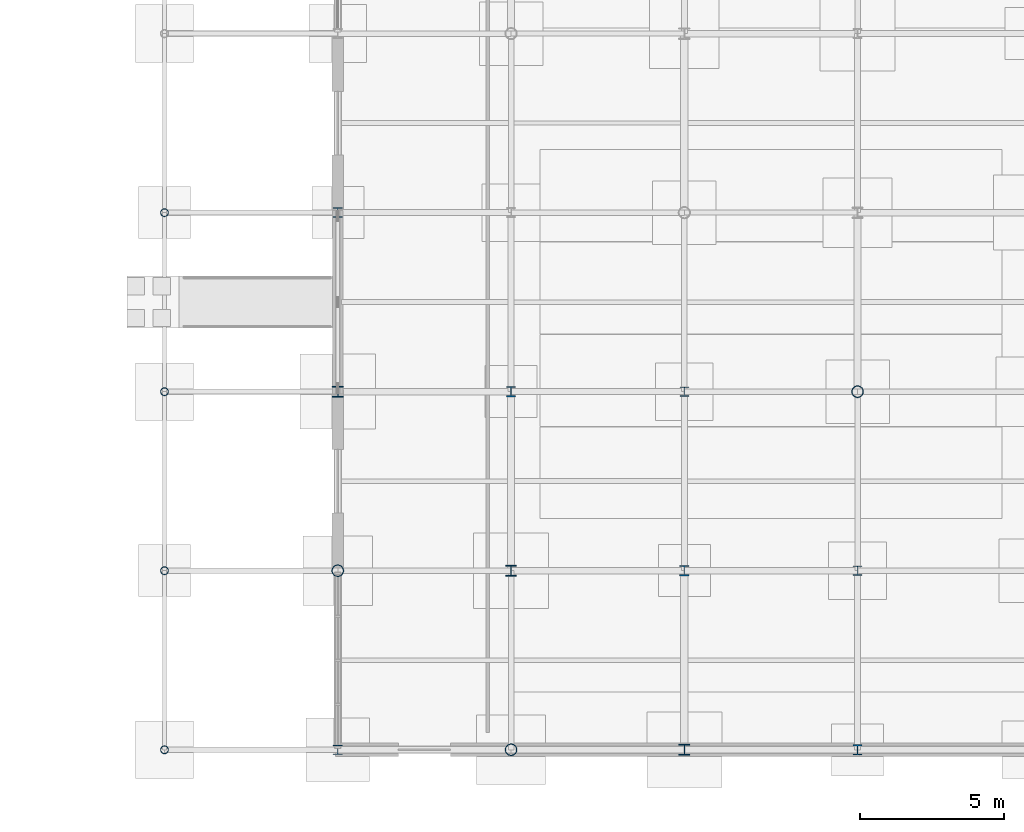
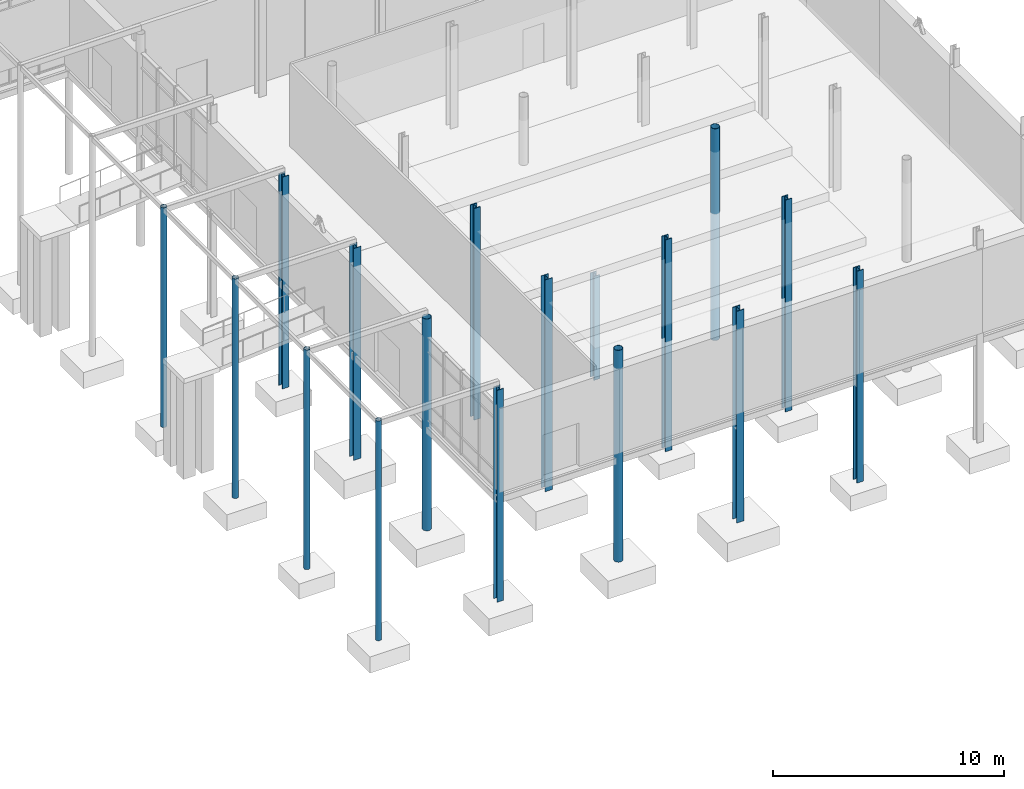
# One storey, part 20 of 98: 17 columns.
"""IFC4 building model written with IfcOpenShell, lengths in metres."""

import ifcopenshell
import ifcopenshell.guid

model = None  # the IFC model being written
_history = None  # IfcOwnerHistory: only IFC2X3 demands one
_inside = {}  # id of a spatial element -> (the spatial element, [elements in it])
_under = {}  # id of a project, library or spatial element -> (it, [spatial elements below it])
_declared = {}  # id of a project -> (the project, [libraries it declares])
_typed = {}  # id of a type object -> (the type object, [elements of that type])
_made_of = {}  # id of a material, layer set ... -> (it, [elements and type objects made of it])


def new_model(schema):
    """Start an empty IFC model of exactly this schema.

    Asked for "IFC4X3", IfcOpenShell would pick the latest addendum, in which some entities
    have other attributes; the version numbers below select the first issue.
    IFC2X3 requires an IfcOwnerHistory on every rooted entity: one is made here for all.
    """
    global model, _history
    if schema == "IFC4X3":
        model = ifcopenshell.file(schema_version=(4, 3, 0, 0))
    else:
        model = ifcopenshell.file(schema=schema)
    _inside.clear()
    _under.clear()
    _declared.clear()
    _typed.clear()
    _made_of.clear()
    _history = None
    if model.schema == "IFC2X3":
        org = make("IfcOrganization", Name="unknown")
        user = make(
            "IfcPersonAndOrganization",
            ThePerson=make("IfcPerson", FamilyName="unknown"),
            TheOrganization=org,
        )
        app = make(
            "IfcApplication",
            ApplicationDeveloper=org,
            Version="unknown",
            ApplicationFullName="unknown",
            ApplicationIdentifier="unknown",
        )
        _history = make(
            "IfcOwnerHistory",
            OwningUser=user,
            OwningApplication=app,
            ChangeAction="ADDED",
            CreationDate=0,
        )
    return model


def make(cls, **values):
    """One entity of the class cls with the attributes given. An attribute that is None is left unset."""
    return model.create_entity(
        cls, **{name: value for name, value in values.items() if value is not None}
    )


def rooted(cls, **values):
    """An entity with a GlobalId (a new one), such as an element, a storey or a relation."""
    return make(cls, GlobalId=ifcopenshell.guid.new(), OwnerHistory=_history, **values)


def si_unit(unit_type, name, prefix=None):
    """IfcSIUnit, for example si_unit("LENGTHUNIT", "METRE", prefix="MILLI")."""
    return make("IfcSIUnit", UnitType=unit_type, Prefix=prefix, Name=name)


def assignment(units):
    """IfcUnitAssignment: the units of a project."""
    return None if units is None else make("IfcUnitAssignment", Units=units)


def point(xyz):
    """IfcCartesianPoint."""
    return None if xyz is None else make("IfcCartesianPoint", Coordinates=xyz)


def direction(xyz):
    """IfcDirection."""
    return None if xyz is None else make("IfcDirection", DirectionRatios=xyz)


def frame(location, z_axis=None, x_axis=None):
    """IfcAxis2Placement3D, a coordinate frame: its origin and axes. An axis left out is left unset."""
    return make(
        "IfcAxis2Placement3D",
        Location=point(location),
        Axis=direction(z_axis),
        RefDirection=direction(x_axis),
    )


def frame_2d(location, x_axis=None):
    """IfcAxis2Placement2D, a coordinate frame in the plane: its origin and x axis."""
    return make(
        "IfcAxis2Placement2D", Location=point(location), RefDirection=direction(x_axis)
    )


def origin():
    """The frame at (0, 0, 0) with its axes left unset."""
    return frame((0.0, 0.0, 0.0))


def origin_2d():
    """The frame at (0, 0) in the plane with its x axis left unset."""
    return frame_2d((0.0, 0.0))


def place(relative_to, where):
    """IfcLocalPlacement: puts the frame where relative to a parent placement (None: the world)."""
    return make(
        "IfcLocalPlacement", PlacementRelTo=relative_to, RelativePlacement=where
    )


def context(
    kind, dimensions, precision=None, world=None, true_north=None, identifier=None
):
    """IfcGeometricRepresentationContext, for example the 3D "Model" context."""
    return make(
        "IfcGeometricRepresentationContext",
        ContextIdentifier=identifier,
        ContextType=kind,
        CoordinateSpaceDimension=dimensions,
        Precision=precision,
        WorldCoordinateSystem=world,
        TrueNorth=true_north,
    )


def subcontext(parent, identifier, kind, view, scale=None):
    """IfcGeometricRepresentationSubContext, for example "Body" below "Model"."""
    return make(
        "IfcGeometricRepresentationSubContext",
        ContextIdentifier=identifier,
        ContextType=kind,
        ParentContext=parent,
        TargetScale=scale,
        TargetView=view,
    )


def project(units=None, contexts=None):
    """IfcProject with its units and contexts."""
    return rooted(
        "IfcProject",
        Name="project",
        RepresentationContexts=contexts,
        UnitsInContext=assignment(units),
    )


def spatial(cls, under=None, at=None, **own):
    """A site, building, storey or space (cls), placed at a placement, below another one or the project."""
    s = rooted(cls, ObjectPlacement=at, **own)
    if under is not None:
        _under.setdefault(under.id(), (under, []))[1].append(s)
    return s


def profile(cls, at=None, kind="AREA", **sizes):
    """A parametric profile (cls). Its sizes go by their IFC names, for example OverallWidth=200.0."""
    return make(cls, ProfileType=kind, Position=at, **sizes)


def hollow_circle(**sizes):
    """IfcCircleHollowProfileDef."""
    return profile("IfcCircleHollowProfileDef", **sizes)


def i_section(**sizes):
    """IfcIShapeProfileDef."""
    return profile("IfcIShapeProfileDef", **sizes)


def extrude(swept, where, along, depth):
    """IfcExtrudedAreaSolid: the profile swept, set in the frame where, extruded along a direction by depth."""
    return make(
        "IfcExtrudedAreaSolid",
        SweptArea=swept,
        Position=where,
        ExtrudedDirection=direction(along),
        Depth=depth,
    )


def shape(context_of_items, identifier, shape_type, items):
    """IfcShapeRepresentation: the items that make up one representation, for example the "Body"."""
    return make(
        "IfcShapeRepresentation",
        ContextOfItems=context_of_items,
        RepresentationIdentifier=identifier,
        RepresentationType=shape_type,
        Items=items,
    )


def material(Name=None, Category=None):
    """IfcMaterial."""
    return make("IfcMaterial", Name=Name, Category=Category)


def material_profile(
    of_material, cross_section, Name=None, Category=None, Priority=None
):
    """IfcMaterialProfile: a cross section and its material."""
    return make(
        "IfcMaterialProfile",
        Name=Name,
        Material=of_material,
        Profile=cross_section,
        Priority=Priority,
        Category=Category,
    )


def profile_set(profiles, Name=None, composite=None):
    """IfcMaterialProfileSet."""
    return make(
        "IfcMaterialProfileSet",
        Name=Name,
        MaterialProfiles=profiles,
        CompositeProfile=composite,
    )


def made_of(thing, what):
    """Note that an element or type object is made of a material, layer set ...; save() writes the relation."""
    if what is not None:
        _made_of.setdefault(what.id(), (what, []))[1].append(thing)
    return thing


def type_object(cls, material=None, **own):
    """A type object (cls), such as IfcWallType, which elements share."""
    return made_of(rooted(cls, **own), material)


def element(
    cls,
    number,
    at=None,
    inside=None,
    cuts=None,
    type_object=None,
    material=None,
    context=None,
    identifier="Body",
    shape_type=None,
    held_by="IfcProductDefinitionShape",
    body=None,
    shapes=None,
    **own,
):
    """One element of the class cls, such as IfcWall. Its Tag is "e" and its number.

    at: its placement. inside: the storey or other place that contains it. cuts: it is an
    opening in that element (IfcRelVoidsElement). A single representation is given by context,
    identifier, shape_type and body (its items); several are given by shapes. held_by: the class
    of the entity that holds the representations. save() writes the other relations.
    """
    e = rooted(cls, Tag="e%d" % number, ObjectPlacement=at, **own)
    if body is not None:
        shapes = [shape(context, identifier, shape_type, body)]
    if shapes is not None:
        e.Representation = make(held_by, Representations=shapes)
    if inside is not None:
        _inside.setdefault(inside.id(), (inside, []))[1].append(e)
    if cuts is not None:
        rooted(
            "IfcRelVoidsElement", RelatingBuildingElement=cuts, RelatedOpeningElement=e
        )
    if type_object is not None:
        _typed.setdefault(type_object.id(), (type_object, []))[1].append(e)
    return made_of(e, material)


def aggregate(whole, parts):
    """IfcRelAggregates: a whole, such as a stair, and the parts it consists of."""
    return rooted("IfcRelAggregates", RelatingObject=whole, RelatedObjects=parts)


def save(model, path):
    """Write the relations noted so far, then the file.

    IfcRelAggregates (storeys below a building ...), IfcRelContainedInSpatialStructure (elements
    in a storey), IfcRelDefinesByType, IfcRelAssociatesMaterial and IfcRelDeclares: one each for
    every whole, place, type object, material and project.
    """
    for whole, parts in _under.values():
        aggregate(whole, parts)
    for where, things in _inside.values():
        rooted(
            "IfcRelContainedInSpatialStructure",
            RelatedElements=things,
            RelatingStructure=where,
        )
    for kind, things in _typed.values():
        rooted("IfcRelDefinesByType", RelatedObjects=things, RelatingType=kind)
    for what, things in _made_of.values():
        rooted("IfcRelAssociatesMaterial", RelatedObjects=things, RelatingMaterial=what)
    for by, libraries in _declared.values():
        rooted("IfcRelDeclares", RelatingContext=by, RelatedDefinitions=libraries)
    model.write(path)


model = new_model("IFC4")

# Units and contexts
model_context = context("Model", 3, precision=1e-05, world=origin(), true_north=direction((0.0, 1.0)))
body_context = subcontext(model_context, "Body", "Model", "MODEL_VIEW")
ifc_project = project(units=[si_unit("LENGTHUNIT", "METRE"), si_unit("AREAUNIT", "SQUARE_METRE"), si_unit("VOLUMEUNIT", "CUBIC_METRE"), si_unit("PLANEANGLEUNIT", "RADIAN"), si_unit("MASSUNIT", "GRAM", prefix="KILO")], contexts=[model_context])

# Site, building, storey
site_placement = place(None, origin())
site = spatial("IfcSite", under=ifc_project, at=site_placement, CompositionType="ELEMENT")
building_placement = place(site_placement, origin())
building = spatial("IfcBuilding", under=site, at=building_placement, Name="Mirzam Square Science Centre", CompositionType="ELEMENT")
storey_placement = place(building_placement, origin())
storey = spatial("IfcBuildingStorey", under=building, at=storey_placement, Name="L00", CompositionType="ELEMENT", Elevation=0.0)

# Columns
ifc_material = material(Name="Steel S355", Category="steel")
ifc_material_profile_1 = material_profile(ifc_material, hollow_circle(Radius=0.136474609375, WallThickness=0.010009765625, at=origin_2d()), Name="273.0x10.0CHS")
ifc_profile_set_1 = profile_set([ifc_material_profile_1], Name="Steel S355")
column_type_1 = type_object("IfcColumnType", Name="COL-CHS273", PredefinedType="COLUMN", material=ifc_profile_set_1)
for number, where, z_axis, x_axis, name in (
    (1, (126.0, 0.0, -5.800048828125), (0.0, 0.0, 1.0), (1.0, 0.0, 0.0), "L00 column G22-01"),
    (2, (126.0, 6.199951171875, -5.800048828125), (0.0, 0.0, 1.0), (1.0, 0.0, 0.0), "L00 column G22-02"),
    (3, (126.0, 12.39990234375, -5.800048828125), (0.0, 0.0, 1.0), (1.0, 0.0, 0.0), "L00 column G22-03"),
    (4, (126.0, 18.60009765625, -5.800048828125), (0.0, 0.0, 1.0), (1.0, 0.0, 0.0), "L00 column G22-04"),
):
    element("IfcColumn", number, at=place(storey_placement, frame(where, z_axis=z_axis, x_axis=x_axis)), inside=storey, type_object=column_type_1, Name=name, PredefinedType="COLUMN", context=body_context, shape_type="SweptSolid", body=[
        extrude(hollow_circle(Radius=0.136474609375, WallThickness=0.010009765625, at=origin_2d()), origin(), (0.0, 0.0, 1.0), 11.6201171875),
    ])
ifc_material_profile_2 = material_profile(ifc_material, hollow_circle(Radius=0.203125, WallThickness=0.01611328125, at=origin_2d()), Name="406.4x16.0CHS")
ifc_profile_set_2 = profile_set([ifc_material_profile_2], Name="Steel S355")
column_type_2 = type_object("IfcColumnType", Name="COL-CHS406", PredefinedType="COLUMN", material=ifc_profile_set_2)
for number, where, z_axis, x_axis, name in (
    (5, (132.0, 6.199951171875, -5.800048828125), (0.0, 0.0, 1.0), (1.0, 0.0, 0.0), "L00 column G23-02"),
    (6, (138.0, 0.0, -5.800048828125), (0.0, 0.0, 1.0), (1.0, 0.0, 0.0), "L00 column G24-01"),
    (7, (150.0, 12.39990234375, -5.800048828125), (0.0, 0.0, 1.0), (1.0, 0.0, 0.0), "L00 column G26-03"),
):
    element("IfcColumn", number, at=place(storey_placement, frame(where, z_axis=z_axis, x_axis=x_axis)), inside=storey, type_object=column_type_2, Name=name, PredefinedType="COLUMN", context=body_context, shape_type="SweptSolid", body=[
        extrude(hollow_circle(Radius=0.203125, WallThickness=0.01611328125, at=origin_2d()), origin(), (0.0, 0.0, 1.0), 11.199951171875),
    ])
ifc_material_profile_3 = material_profile(ifc_material, i_section(OverallWidth=0.314453125, OverallDepth=0.33984375, WebThickness=0.01904296875, FlangeThickness=0.031494140625, FilletRadius=0.01513671875, at=origin_2d()), Name="305x305x198UC")
ifc_profile_set_3 = profile_set([ifc_material_profile_3], Name="Steel S355")
column_type_3 = type_object("IfcColumnType", Name="COL-UC305B", PredefinedType="COLUMN", material=ifc_profile_set_3)
column_1_placement = place(storey_placement, frame((132.0, 0.0, -5.800048828125), z_axis=(0.0, 0.0, 1.0), x_axis=(1.0, 0.0, 0.0)))
element("IfcColumn", 8, at=column_1_placement, inside=storey, type_object=column_type_3, Name="L00 column G23-01", PredefinedType="COLUMN", context=body_context, shape_type="SweptSolid", body=[
    extrude(i_section(OverallWidth=0.314453125, OverallDepth=0.33984375, WebThickness=0.01904296875, FlangeThickness=0.031494140625, FilletRadius=0.01513671875, at=origin_2d()), origin(), (0.0, 0.0, 1.0), 11.199951171875),
])
column_2_placement = place(storey_placement, frame((144.0, 12.39990234375, -5.800048828125), z_axis=(0.0, 0.0, 1.0), x_axis=(1.0, 0.0, 0.0)))
element("IfcColumn", 9, at=column_2_placement, inside=storey, type_object=column_type_3, Name="L00 column G25-03", PredefinedType="COLUMN", context=body_context, shape_type="SweptSolid", body=[
    extrude(i_section(OverallWidth=0.314453125, OverallDepth=0.33984375, WebThickness=0.01904296875, FlangeThickness=0.031494140625, FilletRadius=0.01513671875, at=origin_2d()), origin(), (0.0, 0.0, 1.0), 5.5),
])
column_3_placement = place(storey_placement, frame((150.0, 6.199951171875, -5.800048828125), z_axis=(0.0, 0.0, 1.0), x_axis=(1.0, 0.0, 0.0)))
element("IfcColumn", 10, at=column_3_placement, inside=storey, type_object=column_type_3, Name="L00 column G26-02", PredefinedType="COLUMN", context=body_context, shape_type="SweptSolid", body=[
    extrude(i_section(OverallWidth=0.314453125, OverallDepth=0.33984375, WebThickness=0.01904296875, FlangeThickness=0.031494140625, FilletRadius=0.01513671875, at=origin_2d()), origin(), (0.0, 0.0, 1.0), 11.199951171875),
])
ifc_material_profile_4 = material_profile(ifc_material, i_section(OverallWidth=0.318359375, OverallDepth=0.3525390625, WebThickness=0.02294921875, FlangeThickness=0.03759765625, FilletRadius=0.01513671875, at=origin_2d()), Name="305x305x240UC")
ifc_profile_set_4 = profile_set([ifc_material_profile_4], Name="Steel S355")
column_type_4 = type_object("IfcColumnType", Name="COL-UC305C", PredefinedType="COLUMN", material=ifc_profile_set_4)
for number, where, z_axis, x_axis, name in (
    (11, (132.0, 18.60009765625, -5.800048828125), (0.0, 0.0, 1.0), (1.0, 0.0, 0.0), "L00 column G23-04"),
    (12, (138.0, 12.39990234375, -5.800048828125), (0.0, 0.0, 1.0), (1.0, 0.0, 0.0), "L00 column G24-03"),
    (13, (144.0, 6.199951171875, -5.800048828125), (0.0, 0.0, 1.0), (1.0, 0.0, 0.0), "L00 column G25-02"),
    (14, (150.0, 0.0, -5.800048828125), (0.0, 0.0, 1.0), (1.0, 0.0, 0.0), "L00 column G26-01"),
):
    element("IfcColumn", number, at=place(storey_placement, frame(where, z_axis=z_axis, x_axis=x_axis)), inside=storey, type_object=column_type_4, Name=name, PredefinedType="COLUMN", context=body_context, shape_type="SweptSolid", body=[
        extrude(i_section(OverallWidth=0.318359375, OverallDepth=0.3525390625, WebThickness=0.02294921875, FlangeThickness=0.03759765625, FilletRadius=0.01513671875, at=origin_2d()), origin(), (0.0, 0.0, 1.0), 11.199951171875),
    ])
ifc_material_profile_5 = material_profile(ifc_material, i_section(OverallWidth=0.374755859375, OverallDepth=0.37451171875, WebThickness=0.0166015625, FlangeThickness=0.027099609375, FilletRadius=0.01513671875, at=origin_2d()), Name="356x368x202UC")
ifc_profile_set_5 = profile_set([ifc_material_profile_5], Name="Steel S355")
column_type_5 = type_object("IfcColumnType", Name="COL-UC356A", PredefinedType="COLUMN", material=ifc_profile_set_5)
for number, where, z_axis, x_axis, name in (
    (15, (132.0, 12.39990234375, -5.800048828125), (0.0, 0.0, 1.0), (1.0, 0.0, 0.0), "L00 column G23-03"),
    (16, (138.0, 6.199951171875, -5.800048828125), (0.0, 0.0, 1.0), (1.0, 0.0, 0.0), "L00 column G24-02"),
    (17, (144.0, 0.0, -5.800048828125), (0.0, 0.0, 1.0), (1.0, 0.0, 0.0), "L00 column G25-01"),
):
    element("IfcColumn", number, at=place(storey_placement, frame(where, z_axis=z_axis, x_axis=x_axis)), inside=storey, type_object=column_type_5, Name=name, PredefinedType="COLUMN", context=body_context, shape_type="SweptSolid", body=[
        extrude(i_section(OverallWidth=0.374755859375, OverallDepth=0.37451171875, WebThickness=0.0166015625, FlangeThickness=0.027099609375, FilletRadius=0.01513671875, at=origin_2d()), origin(), (0.0, 0.0, 1.0), 11.199951171875),
    ])

save(model, "model.ifc")
